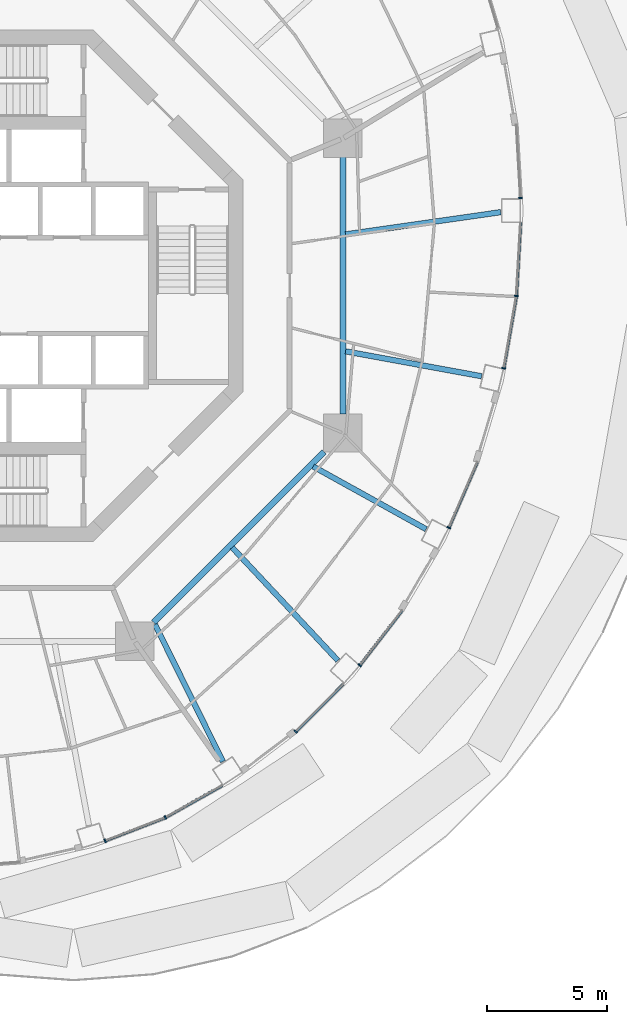
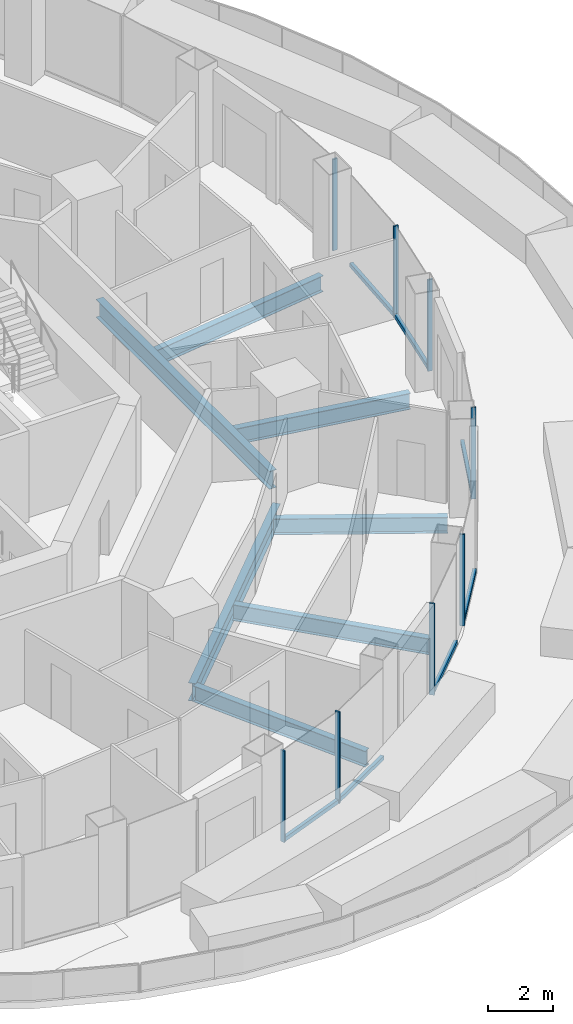
# One storey, part 4 of 18: 15 members, 7 beams, 8 elements without a shape of their own.
"""IFC4 building model written with IfcOpenShell, lengths in metres."""

from ifc_helpers import new_model, si_unit, direction, frame, origin, origin_2d, place, context, subcontext, project, spatial, rectangle, i_section, extrude, material, layer, layer_set, material_profile, profile_set, type_object, element, aggregate, save


model = new_model("IFC4")

# Units and contexts
model_context = context("Model", 3, precision=1e-05, world=origin(), true_north=direction((0.0, 1.0)))
body_context = subcontext(model_context, "Body", "Model", "MODEL_VIEW")
ifc_project = project(units=[si_unit("LENGTHUNIT", "METRE"), si_unit("AREAUNIT", "SQUARE_METRE"), si_unit("VOLUMEUNIT", "CUBIC_METRE"), si_unit("PLANEANGLEUNIT", "RADIAN"), si_unit("MASSUNIT", "GRAM", prefix="KILO")], contexts=[model_context])

# Site, building, storey
site_placement = place(None, origin())
site = spatial("IfcSite", under=ifc_project, at=site_placement, CompositionType="ELEMENT")
building_placement = place(site_placement, origin())
building = spatial("IfcBuilding", under=site, at=building_placement, Name="Nagisa Residences", CompositionType="ELEMENT")
storey_placement = place(building_placement, frame((0.0, 0.0, 212.199951171875)))
storey = spatial("IfcBuildingStorey", under=building, at=storey_placement, Name="L53", CompositionType="ELEMENT", Elevation=212.199951171875)

# Curtain wall, member
ifc_material_1 = material(Name="Concrete-coloured aluminium curtain wall system", Category="concrete")
ifc_layer = layer(ifc_material_1, 0.159912109375)
ifc_layer_set = layer_set([ifc_layer], Name="CW1 CURTAIN WALL")
curtain_wall_type = type_object("IfcCurtainWallType", Name="CW1 CURTAIN WALL", PredefinedType="NOTDEFINED", material=ifc_layer_set)
curtain_wall_1_placement = place(storey_placement, origin())
curtain_wall_1 = element("IfcCurtainWall", 1, at=curtain_wall_1_placement, inside=storey, type_object=curtain_wall_type, Name="cw:CW1:L53:00", PredefinedType="NOTDEFINED")
ifc_material_2 = material(Name="Concrete-coloured aluminium", Category="concrete")
ifc_material_profile_1 = material_profile(ifc_material_2, rectangle(XDim=0.159912109375, YDim=0.06005859375, at=origin_2d()), Name="CW1 MULLION 160x60")
ifc_profile_set_1 = profile_set([ifc_material_profile_1], Name="Concrete-coloured aluminium")
member_type_1 = type_object("IfcMemberType", Name="CW1 MULLION 160x60", PredefinedType="MULLION", material=ifc_profile_set_1)
member_1_placement = place(storey_placement, frame((22.15966796875, 3.642333984375, 0.0), z_axis=(0.0, 0.0, 1.0), x_axis=(-0.998345305184, -0.057503492216, 0.0)))
member_1 = element("IfcMember", 2, at=member_1_placement, type_object=member_type_1, Name="CW1 mullion", PredefinedType="MULLION", context=body_context, shape_type="SweptSolid", body=[
    extrude(rectangle(XDim=0.159912109375, YDim=0.06005859375, at=origin_2d()), origin(), (0.0, 0.0, 1.0), 3.43994140625),
])
aggregate(curtain_wall_1, [member_1])

curtain_wall_2_placement = place(storey_placement, origin())
curtain_wall_2 = element("IfcCurtainWall", 3, at=curtain_wall_2_placement, inside=storey, type_object=curtain_wall_type, Name="cw:CW1:L53:38", PredefinedType="NOTDEFINED")
member_2_placement = place(storey_placement, frame((4.895263671875, -23.073486328125, 0.0), z_axis=(0.0, 0.0, 1.0), x_axis=(-0.360327770268, 0.932825759707, 0.0)))
member_2 = element("IfcMember", 4, at=member_2_placement, type_object=member_type_1, Name="CW1 mullion", PredefinedType="MULLION", context=body_context, shape_type="SweptSolid", body=[
    extrude(rectangle(XDim=0.159912109375, YDim=0.06005859375, at=origin_2d()), origin(), (0.0, 0.0, 1.0), 3.43994140625),
])

curtain_wall_3_placement = place(storey_placement, origin())
curtain_wall_3 = element("IfcCurtainWall", 5, at=curtain_wall_3_placement, inside=storey, type_object=curtain_wall_type, Name="cw:CW1:L53:39", PredefinedType="NOTDEFINED")
member_3_placement = place(storey_placement, frame((7.398193359375, -22.10302734375, 0.0), z_axis=(0.0, 0.0, 1.0), x_axis=(-0.489376918501, 0.872072377523, 0.0)))
member_3 = element("IfcMember", 6, at=member_3_placement, type_object=member_type_1, Name="CW1 mullion", PredefinedType="MULLION", context=body_context, shape_type="SweptSolid", body=[
    extrude(rectangle(XDim=0.159912109375, YDim=0.06005859375, at=origin_2d()), origin(), (0.0, 0.0, 1.0), 3.43994140625),
])

curtain_wall_4_placement = place(storey_placement, origin())
curtain_wall_4 = element("IfcCurtainWall", 7, at=curtain_wall_4_placement, inside=storey, type_object=curtain_wall_type, Name="cw:CW1:L53:41", PredefinedType="NOTDEFINED")
member_4_placement = place(storey_placement, frame((12.817626953125, -18.534423828125, 0.0), z_axis=(0.0, 0.0, 1.0), x_axis=(-0.706376885714, 0.707835924016, 0.0)))
member_4 = element("IfcMember", 8, at=member_4_placement, type_object=member_type_1, Name="CW1 mullion", PredefinedType="MULLION", context=body_context, shape_type="SweptSolid", body=[
    extrude(rectangle(XDim=0.159912109375, YDim=0.06005859375, at=origin_2d()), origin(), (0.0, 0.0, 1.0), 3.43994140625),
])

curtain_wall_5_placement = place(storey_placement, origin())
curtain_wall_5 = element("IfcCurtainWall", 9, at=curtain_wall_5_placement, inside=storey, type_object=curtain_wall_type, Name="cw:CW1:L53:42", PredefinedType="NOTDEFINED")
member_5_placement = place(storey_placement, frame((15.480224609375, -15.78125, 0.0), z_axis=(0.0, 0.0, 1.0), x_axis=(-0.792070340816, 0.610429828235, 0.0)))
member_5 = element("IfcMember", 10, at=member_5_placement, type_object=member_type_1, Name="CW1 mullion", PredefinedType="MULLION", context=body_context, shape_type="SweptSolid", body=[
    extrude(rectangle(XDim=0.159912109375, YDim=0.06005859375, at=origin_2d()), origin(), (0.0, 0.0, 1.0), 3.43994140625),
])

curtain_wall_6_placement = place(storey_placement, origin())
curtain_wall_6 = element("IfcCurtainWall", 11, at=curtain_wall_6_placement, inside=storey, type_object=curtain_wall_type, Name="cw:CW1:L53:44", PredefinedType="NOTDEFINED")
member_6_placement = place(storey_placement, frame((19.1826171875, -10.05908203125, 0.0), z_axis=(0.0, 0.0, 1.0), x_axis=(-0.917543276295, 0.397635934147, 0.0)))
member_6 = element("IfcMember", 12, at=member_6_placement, type_object=member_type_1, Name="CW1 mullion", PredefinedType="MULLION", context=body_context, shape_type="SweptSolid", body=[
    extrude(rectangle(XDim=0.159912109375, YDim=0.06005859375, at=origin_2d()), origin(), (0.0, 0.0, 1.0), 3.43994140625),
])

curtain_wall_7_placement = place(storey_placement, origin())
curtain_wall_7 = element("IfcCurtainWall", 13, at=curtain_wall_7_placement, inside=storey, type_object=curtain_wall_type, Name="cw:CW1:L53:46", PredefinedType="NOTDEFINED")
member_7_placement = place(storey_placement, frame((21.46240234375, -3.435546875, 0.0), z_axis=(0.0, 0.0, 1.0), x_axis=(-0.985063604377, 0.172190868898, 0.0)))
member_7 = element("IfcMember", 14, at=member_7_placement, type_object=member_type_1, Name="CW1 mullion", PredefinedType="MULLION", context=body_context, shape_type="SweptSolid", body=[
    extrude(rectangle(XDim=0.159912109375, YDim=0.06005859375, at=origin_2d()), origin(), (0.0, 0.0, 1.0), 3.43994140625),
])

curtain_wall_8_placement = place(storey_placement, origin())
curtain_wall_8 = element("IfcCurtainWall", 15, at=curtain_wall_8_placement, inside=storey, type_object=curtain_wall_type, Name="cw:CW1:L53:47", PredefinedType="NOTDEFINED")
member_8_placement = place(storey_placement, frame((21.98583984375, -0.4228515625, 0.0), z_axis=(0.0, 0.0, 1.0), x_axis=(-0.998345305184, 0.057503492216, 0.0)))
member_8 = element("IfcMember", 16, at=member_8_placement, type_object=member_type_1, Name="CW1 mullion", PredefinedType="MULLION", context=body_context, shape_type="SweptSolid", body=[
    extrude(rectangle(XDim=0.159912109375, YDim=0.06005859375, at=origin_2d()), origin(), (0.0, 0.0, 1.0), 3.43994140625),
])

# Member
ifc_material_3 = material(Name="Concrete-coloured aluminium", Category="concrete")
ifc_material_profile_2 = material_profile(ifc_material_3, rectangle(XDim=0.1201171875, YDim=0.14990234375, at=origin_2d()), Name="CW1 TRANSOM 120x150")
ifc_profile_set_2 = profile_set([ifc_material_profile_2], Name="Concrete-coloured aluminium")
member_type_2 = type_object("IfcMemberType", Name="CW1 TRANSOM 120x150", PredefinedType="USERDEFINED", material=ifc_profile_set_2)
member_9_placement = place(storey_placement, frame((4.867431640625, -23.084228515625, 0.074951171875), z_axis=(0.932826499224, 0.360325855782, 0.0), x_axis=(-0.360325855782, 0.932826499224, 0.0)))
member_9 = element("IfcMember", 17, at=member_9_placement, type_object=member_type_2, Name="CW1 transom", ObjectType="TRANSOM", PredefinedType="USERDEFINED", context=body_context, shape_type="SweptSolid", body=[
    extrude(rectangle(XDim=0.1201171875, YDim=0.14990234375, at=origin_2d()), origin(), (0.0, 0.0, 1.0), 2.696044921875),
])

aggregate(curtain_wall_2, [member_2, member_9])

member_10_placement = place(storey_placement, frame((7.3720703125, -22.11767578125, 0.074951171875), z_axis=(0.872041873719, 0.489431272479, 0.0), x_axis=(-0.489431272479, 0.872041873719, 0.0)))
member_10 = element("IfcMember", 18, at=member_10_placement, type_object=member_type_2, Name="CW1 transom", ObjectType="TRANSOM", PredefinedType="USERDEFINED", context=body_context, shape_type="SweptSolid", body=[
    extrude(rectangle(XDim=0.1201171875, YDim=0.14990234375, at=origin_2d()), origin(), (0.0, 0.0, 1.0), 2.738037109375),
])

aggregate(curtain_wall_3, [member_3, member_10])

member_11_placement = place(storey_placement, frame((12.79638671875, -18.5556640625, 0.074951171875), z_axis=(0.707836044127, 0.706376765356, 0.0), x_axis=(-0.706376765356, 0.707836044127, 0.0)))
member_11 = element("IfcMember", 19, at=member_11_placement, type_object=member_type_2, Name="CW1 transom", ObjectType="TRANSOM", PredefinedType="USERDEFINED", context=body_context, shape_type="SweptSolid", body=[
    extrude(rectangle(XDim=0.1201171875, YDim=0.14990234375, at=origin_2d()), origin(), (0.0, 0.0, 1.0), 2.84423828125),
])

aggregate(curtain_wall_4, [member_4, member_11])

member_12_placement = place(storey_placement, frame((15.4619140625, -15.80517578125, 0.074951171875), z_axis=(0.610438565676, 0.792063607001, 0.0), x_axis=(-0.792063607001, 0.610438565676, 0.0)))
member_12 = element("IfcMember", 20, at=member_12_placement, type_object=member_type_2, Name="CW1 transom", ObjectType="TRANSOM", PredefinedType="USERDEFINED", context=body_context, shape_type="SweptSolid", body=[
    extrude(rectangle(XDim=0.1201171875, YDim=0.14990234375, at=origin_2d()), origin(), (0.0, 0.0, 1.0), 2.90087890625),
])

aggregate(curtain_wall_5, [member_5, member_12])

member_13_placement = place(storey_placement, frame((19.170654296875, -10.086669921875, 0.074951171875), z_axis=(0.397616567135, 0.917551669139, 0.0), x_axis=(-0.917551669139, 0.397616567135, 0.0)))
member_13 = element("IfcMember", 21, at=member_13_placement, type_object=member_type_2, Name="CW1 transom", ObjectType="TRANSOM", PredefinedType="USERDEFINED", context=body_context, shape_type="SweptSolid", body=[
    extrude(rectangle(XDim=0.1201171875, YDim=0.14990234375, at=origin_2d()), origin(), (0.0, 0.0, 1.0), 3.001953125),
])

aggregate(curtain_wall_6, [member_6, member_13])

member_14_placement = place(storey_placement, frame((21.45703125, -3.465087890625, 0.074951171875), z_axis=(0.172241318156, 0.985054784426, 0.0), x_axis=(-0.985054784426, 0.172241318156, 0.0)))
member_14 = element("IfcMember", 22, at=member_14_placement, type_object=member_type_2, Name="CW1 transom", ObjectType="TRANSOM", PredefinedType="USERDEFINED", context=body_context, shape_type="SweptSolid", body=[
    extrude(rectangle(XDim=0.1201171875, YDim=0.14990234375, at=origin_2d()), origin(), (0.0, 0.0, 1.0), 3.0673828125),
])

aggregate(curtain_wall_7, [member_7, member_14])

member_15_placement = place(storey_placement, frame((21.984130859375, -0.452880859375, 0.074951171875), z_axis=(0.057528189427, 0.998343882348, 0.0), x_axis=(-0.998343882348, 0.057528189427, 0.0)))
member_15 = element("IfcMember", 23, at=member_15_placement, type_object=member_type_2, Name="CW1 transom", ObjectType="TRANSOM", PredefinedType="USERDEFINED", context=body_context, shape_type="SweptSolid", body=[
    extrude(rectangle(XDim=0.1201171875, YDim=0.14990234375, at=origin_2d()), origin(), (0.0, 0.0, 1.0), 3.0810546875),
])

aggregate(curtain_wall_8, [member_8, member_15])

# Beams
ifc_material_4 = material(Name="Steel ASTM A572 Gr 50", Category="steel")
ifc_material_profile_3 = material_profile(ifc_material_4, i_section(OverallWidth=0.2529296875, OverallDepth=0.677978515625, WebThickness=0.01171875, FlangeThickness=0.016357421875, at=origin_2d()), Name="W690x125")
ifc_profile_set_3 = profile_set([ifc_material_profile_3], Name="Steel ASTM A572 Gr 50")
beam_type_1 = type_object("IfcBeamType", Name="Inner ring beam W690x125", PredefinedType="BEAM", material=ifc_profile_set_3)
beam_1_placement = place(storey_placement, frame((6.90869140625, -13.99609375, -0.598876953125), z_axis=(0.707106781187, 0.707106781187, 0.0), x_axis=(-0.707106781187, 0.707106781187, 0.0)))
element("IfcBeam", 24, at=beam_1_placement, inside=storey, type_object=beam_type_1, Name="beam:L53:ib7", PredefinedType="BEAM", context=body_context, shape_type="SweptSolid", body=[
    extrude(i_section(OverallWidth=0.2529296875, OverallDepth=0.677978515625, WebThickness=0.01171875, FlangeThickness=0.016357421875, at=origin_2d()), origin(), (0.0, 0.0, 1.0), 10.023193359375),
])
beam_2_placement = place(storey_placement, frame((14.781982421875, -5.343017578125, -0.598876953125), z_axis=(0.0, 1.0, 0.0), x_axis=(-1.0, 0.0, 0.0)))
element("IfcBeam", 25, at=beam_2_placement, inside=storey, type_object=beam_type_1, Name="beam:L53:ib8", PredefinedType="BEAM", context=body_context, shape_type="SweptSolid", body=[
    extrude(i_section(OverallWidth=0.2529296875, OverallDepth=0.677978515625, WebThickness=0.01171875, FlangeThickness=0.016357421875, at=origin_2d()), origin(), (0.0, 0.0, 1.0), 10.68603515625),
])
ifc_material_5 = material(Name="Steel ASTM A572 Gr 50", Category="steel")
ifc_material_profile_4 = material_profile(ifc_material_5, i_section(OverallWidth=0.22802734375, OverallDepth=0.60302734375, WebThickness=0.010498046875, FlangeThickness=0.014892578125, at=origin_2d()), Name="W610x101")
ifc_profile_set_4 = profile_set([ifc_material_profile_4], Name="Steel ASTM A572 Gr 50")
beam_type_2 = type_object("IfcBeamType", Name="Radial beam W610x101", PredefinedType="BEAM", material=ifc_profile_set_4)
beam_3_placement = place(storey_placement, frame((21.33984375, 3.05615234375, -0.5615234375), z_axis=(-0.989901485124, -0.141757009526, 0.0), x_axis=(0.141757009526, -0.989901485124, 0.0)))
element("IfcBeam", 26, at=beam_3_placement, inside=storey, type_object=beam_type_2, Name="beam:L53:rb01", PredefinedType="BEAM", context=body_context, shape_type="SweptSolid", body=[
    extrude(i_section(OverallWidth=0.22802734375, OverallDepth=0.60302734375, WebThickness=0.010498046875, FlangeThickness=0.014892578125, at=origin_2d()), origin(), (0.0, 0.0, 1.0), 6.51708984375),
])
beam_4_placement = place(storey_placement, frame((9.792724609375, -19.78125, -0.5615234375), z_axis=(-0.443645822353, 0.896202200571, 0.0), x_axis=(-0.896202200571, -0.443645822353, 0.0)))
element("IfcBeam", 27, at=beam_4_placement, inside=storey, type_object=beam_type_2, Name="beam:L53:rb21", PredefinedType="BEAM", context=body_context, shape_type="SweptSolid", body=[
    extrude(i_section(OverallWidth=0.22802734375, OverallDepth=0.60302734375, WebThickness=0.010498046875, FlangeThickness=0.014892578125, at=origin_2d()), origin(), (0.0, 0.0, 1.0), 6.356689453125),
])
beam_5_placement = place(storey_placement, frame((14.5712890625, -15.580810546875, -0.5615234375), z_axis=(-0.683058579833, 0.730363591998, 0.0), x_axis=(-0.730363591998, -0.683058579833, 0.0)))
element("IfcBeam", 28, at=beam_5_placement, inside=storey, type_object=beam_type_2, Name="beam:L53:rb22", PredefinedType="BEAM", context=body_context, shape_type="SweptSolid", body=[
    extrude(i_section(OverallWidth=0.22802734375, OverallDepth=0.60302734375, WebThickness=0.010498046875, FlangeThickness=0.014892578125, at=origin_2d()), origin(), (0.0, 0.0, 1.0), 6.435791015625),
])
beam_6_placement = place(storey_placement, frame((18.23583984375, -10.118408203125, -0.5615234375), z_axis=(-0.874408186355, 0.485191017678, 0.0), x_axis=(-0.485191017678, -0.874408186355, 0.0)))
element("IfcBeam", 29, at=beam_6_placement, inside=storey, type_object=beam_type_2, Name="beam:L53:rb23", PredefinedType="BEAM", context=body_context, shape_type="SweptSolid", body=[
    extrude(i_section(OverallWidth=0.22802734375, OverallDepth=0.60302734375, WebThickness=0.010498046875, FlangeThickness=0.014892578125, at=origin_2d()), origin(), (0.0, 0.0, 1.0), 5.367431640625),
])
beam_7_placement = place(storey_placement, frame((20.54345703125, -3.764404296875, -0.5615234375), z_axis=(-0.983622999869, 0.180238159468, 0.0), x_axis=(-0.180238159468, -0.983622999869, 0.0)))
element("IfcBeam", 30, at=beam_7_placement, inside=storey, type_object=beam_type_2, Name="beam:L53:rb24", PredefinedType="BEAM", context=body_context, shape_type="SweptSolid", body=[
    extrude(i_section(OverallWidth=0.22802734375, OverallDepth=0.60302734375, WebThickness=0.010498046875, FlangeThickness=0.014892578125, at=origin_2d()), origin(), (0.0, 0.0, 1.0), 5.748779296875),
])

save(model, "model.ifc")
